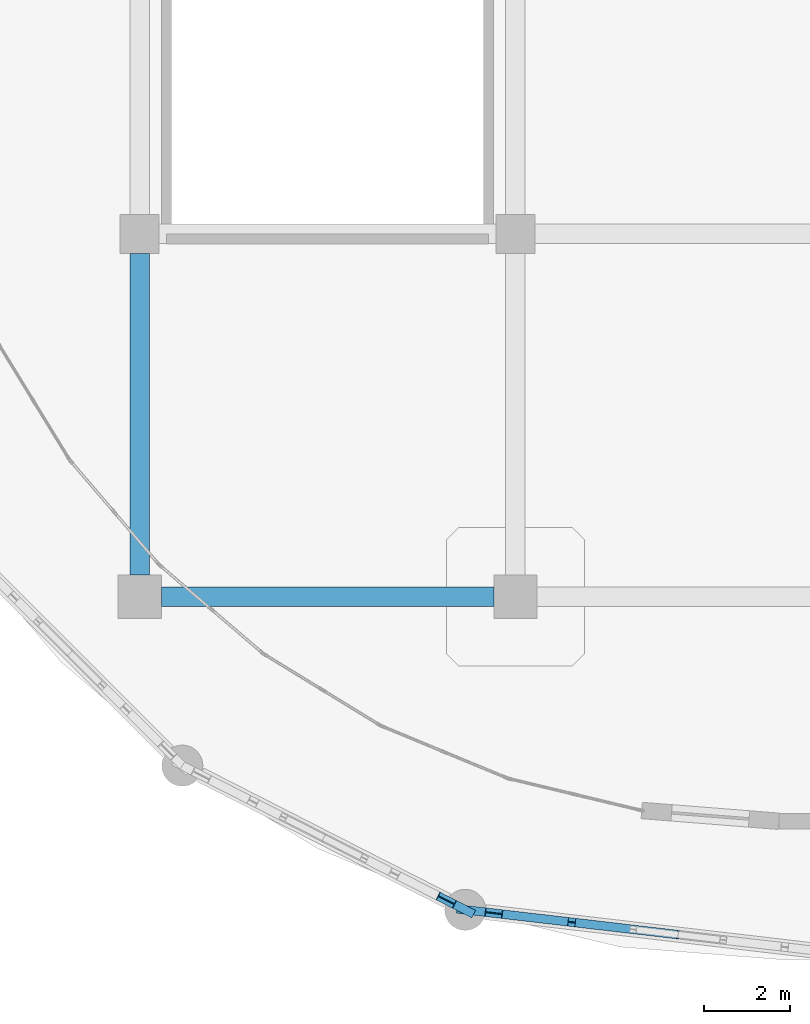
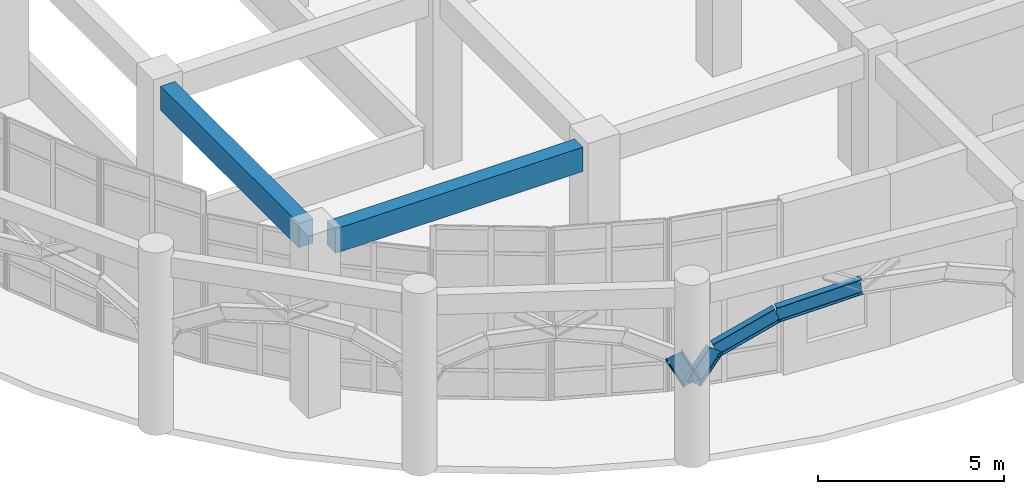
# One storey, part 4 of 82: 6 beams.
"""IFC4 building model written with IfcOpenShell, lengths in metres."""

from ifc_helpers import new_model, si_unit, derived_unit, direction, frame, origin, origin_2d, place, context, subcontext, project, spatial, rectangle, i_section, extrude, material, material_profile, profile_set, type_object, element, save


model = new_model("IFC4")

# Units and contexts
model_context = context("Model", 3, precision=1e-05, world=origin(), true_north=direction((0.0, 1.0)))
body_context = subcontext(model_context, "Body", "Model", "MODEL_VIEW")
ifc_project = project(units=[si_unit("LENGTHUNIT", "METRE"), si_unit("AREAUNIT", "SQUARE_METRE"), si_unit("VOLUMEUNIT", "CUBIC_METRE"), si_unit("PLANEANGLEUNIT", "RADIAN"), si_unit("MASSUNIT", "GRAM", prefix="KILO"), derived_unit("THERMALTRANSMITTANCEUNIT", [(si_unit("MASSUNIT", "GRAM", prefix="KILO"), 1), (si_unit("TIMEUNIT", "SECOND"), -3), (si_unit("THERMODYNAMICTEMPERATUREUNIT", "KELVIN"), -1)])], contexts=[model_context])

# Site, building, storey
site_placement = place(None, origin())
site = spatial("IfcSite", under=ifc_project, at=site_placement, CompositionType="ELEMENT")
building_placement = place(site_placement, origin())
building = spatial("IfcBuilding", under=site, at=building_placement, Name="Qinzheling Arcade Emporium", CompositionType="ELEMENT")
storey_placement = place(building_placement, origin())
storey = spatial("IfcBuildingStorey", under=building, at=storey_placement, Name="L01", CompositionType="ELEMENT", Elevation=0.0)

# Beams
ifc_material_1 = material(Name="Weathering steel Q355NH", Category="steel")
ifc_material_profile_1 = material_profile(ifc_material_1, i_section(OverallWidth=0.199951171875, OverallDepth=0.5, WebThickness=0.010009765625, FlangeThickness=0.01611328125, FilletRadius=0.01806640625, at=origin_2d()), Name="HN 500x200x10x16", Category="steel")
ifc_profile_set_1 = profile_set([ifc_material_profile_1], Name="Weathering steel Q355NH")
beam_type_1 = type_object("IfcBeamType", Name="Arcade End Arch Rib HN500 Q355NH", PredefinedType="BEAM", material=ifc_profile_set_1)
beam_1_placement = place(storey_placement, frame((15.799072265625, 1.3740234375, 3.387939453125), z_axis=(0.423139078222, -0.216040975421, -0.879931598149), x_axis=(0.454726998779, 0.890630875605, 0.0)))
element("IfcBeam", 1, at=beam_1_placement, inside=storey, type_object=beam_type_1, Name="Curved Arcade Entrance Arch ARC-L01-CV1-B04-C06", PredefinedType="BEAM", context=body_context, shape_type="SweptSolid", body=[
    extrude(i_section(OverallWidth=0.199951171875, OverallDepth=0.5, WebThickness=0.010009765625, FlangeThickness=0.01611328125, FilletRadius=0.01806640625, at=origin_2d()), origin(), (0.0, 0.0, 1.0), 1.037353515625),
])
beam_2_placement = place(storey_placement, frame((16.238037109375, 1.14990234375, 2.47509765625), z_axis=(0.585070732031, -0.068081743845, 0.80811949282), x_axis=(0.115585053475, 0.993297586533, 0.0)))
element("IfcBeam", 2, at=beam_2_placement, inside=storey, type_object=beam_type_1, Name="Curved Arcade Entrance Arch ARC-L01-CV1-B05-C01", PredefinedType="BEAM", context=body_context, shape_type="SweptSolid", body=[
    extrude(i_section(OverallWidth=0.199951171875, OverallDepth=0.5, WebThickness=0.010009765625, FlangeThickness=0.01611328125, FilletRadius=0.01806640625, at=origin_2d()), origin(), (0.0, 0.0, 1.0), 1.129638671875),
])
beam_3_placement = place(storey_placement, frame((16.89892578125, 1.072998046875, 3.387939453125), z_axis=(0.932402155149, -0.108521566305, 0.34474525482), x_axis=(0.115608816633, 0.993294821046, 0.0)))
element("IfcBeam", 3, at=beam_3_placement, inside=storey, type_object=beam_type_1, Name="Curved Arcade Entrance Arch ARC-L01-CV1-B05-C02", PredefinedType="BEAM", context=body_context, shape_type="SweptSolid", body=[
    extrude(i_section(OverallWidth=0.199951171875, OverallDepth=0.5, WebThickness=0.010009765625, FlangeThickness=0.01611328125, FilletRadius=0.01806640625, at=origin_2d()), origin(), (0.0, 0.0, 1.0), 1.934814453125),
])
beam_4_placement = place(storey_placement, frame((18.702880859375, 0.863037109375, 4.054931640625), z_axis=(0.988440312069, -0.115469712726, 0.098247111506), x_axis=(0.116031065257, 0.993245584886, 0.0)))
element("IfcBeam", 4, at=beam_4_placement, inside=storey, type_object=beam_type_1, Name="Curved Arcade Entrance Arch ARC-L01-CV1-B05-C03", PredefinedType="BEAM", context=body_context, shape_type="SweptSolid", body=[
    extrude(i_section(OverallWidth=0.199951171875, OverallDepth=0.5, WebThickness=0.010009765625, FlangeThickness=0.01611328125, FilletRadius=0.01806640625, at=origin_2d()), origin(), (0.0, 0.0, 1.0), 2.494873046875),
])
ifc_material_2 = material(Name="Concrete C40", Category="concrete")
ifc_material_profile_2 = material_profile(ifc_material_2, rectangle(XDim=0.449951171875, YDim=0.800048828125, at=origin_2d()), Name="RC 450x800", Category="concrete")
ifc_profile_set_2 = profile_set([ifc_material_profile_2], Name="Concrete C40")
beam_type_2 = type_object("IfcBeamType", Name="RC Primary Frame Beam 450x800 C40", PredefinedType="BEAM", material=ifc_profile_set_2)
beam_5_placement = place(storey_placement, frame((9.199951171875, 8.39990234375, 5.320068359375), z_axis=(1.0, 0.0, 0.0), x_axis=(0.0, 1.0, 0.0)))
element("IfcBeam", 5, at=beam_5_placement, inside=storey, type_object=beam_type_2, Name="Beam BM-L01-X-B-2", PredefinedType="BEAM", context=body_context, shape_type="SweptSolid", body=[
    extrude(rectangle(XDim=0.449951171875, YDim=0.800048828125, at=origin_2d()), origin(), (0.0, 0.0, 1.0), 7.699951171875),
])
beam_6_placement = place(storey_placement, frame((8.699951171875, 8.89990234375, 5.320068359375), z_axis=(0.0, 1.0, 0.0), x_axis=(-1.0, 0.0, 0.0)))
element("IfcBeam", 6, at=beam_6_placement, inside=storey, type_object=beam_type_2, Name="Beam BM-L01-Y-2-B", PredefinedType="BEAM", context=body_context, shape_type="SweptSolid", body=[
    extrude(rectangle(XDim=0.449951171875, YDim=0.800048828125, at=origin_2d()), origin(), (0.0, 0.0, 1.0), 7.4501953125),
])

save(model, "model.ifc")
